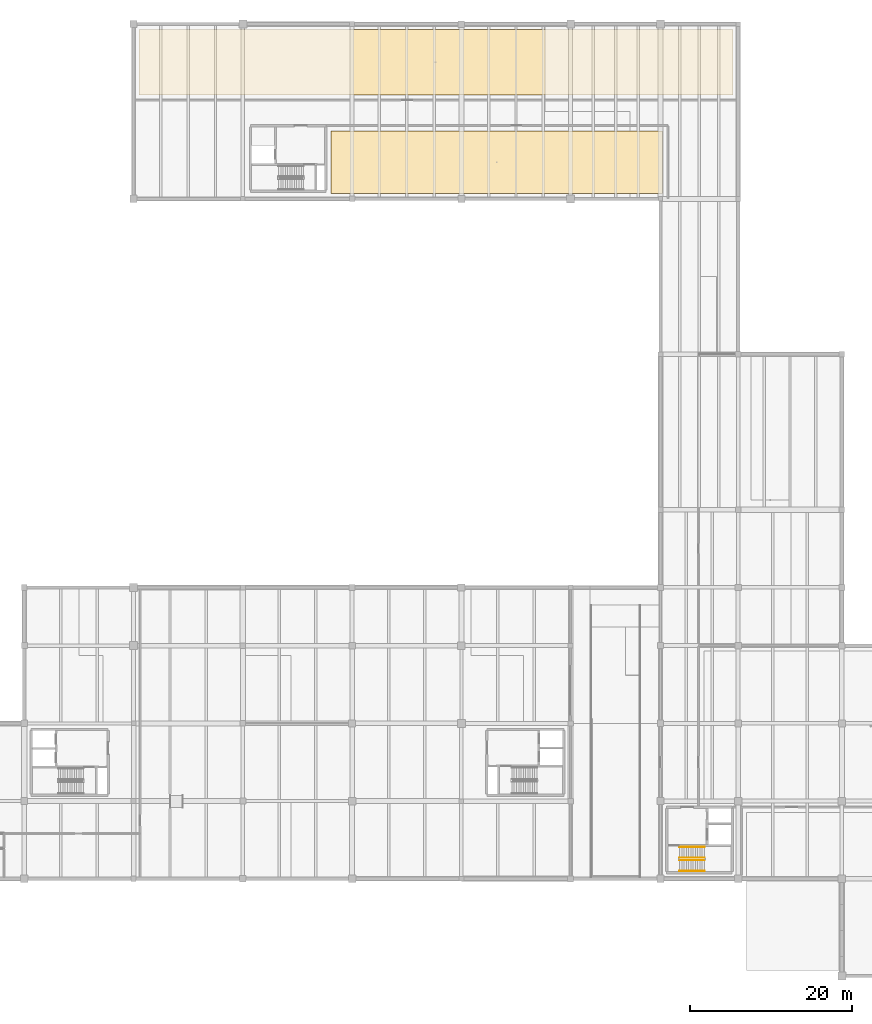
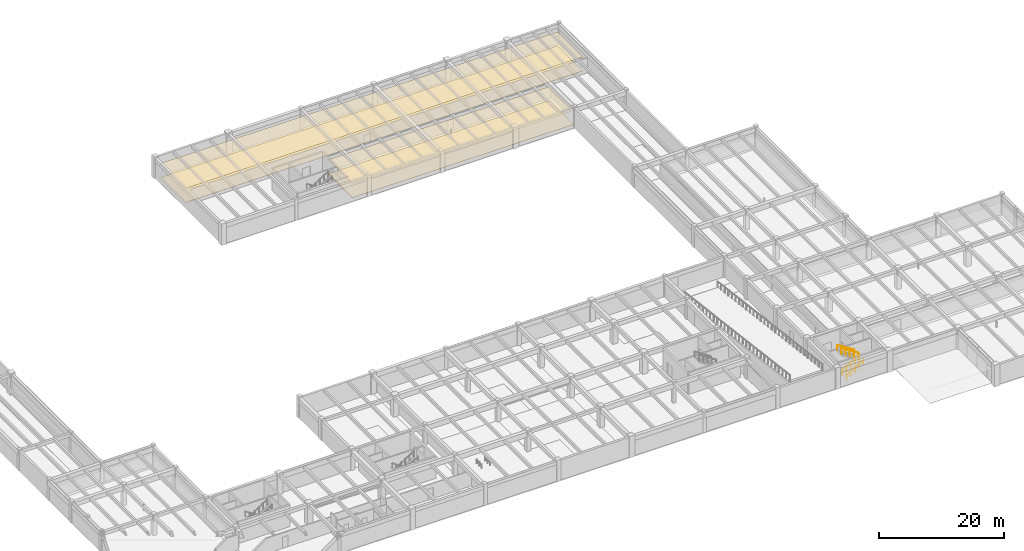
# One storey, part 26 of 28: 4 coverings, 4 railings.
"""IFC4 building model written with IfcOpenShell, lengths in metres."""

from ifc_helpers import new_model, si_unit, direction, frame, origin, origin_2d, place, context, subcontext, project, spatial, polyline, circle, outline, extrude, material, layer, layer_set, type_object, element, save


model = new_model("IFC4")

# Units and contexts
model_context = context("Model", 3, precision=1e-05, world=origin(), true_north=direction((0.0, 1.0)))
body_context = subcontext(model_context, "Body", "Model", "MODEL_VIEW")
ifc_project = project(units=[si_unit("LENGTHUNIT", "METRE"), si_unit("AREAUNIT", "SQUARE_METRE"), si_unit("VOLUMEUNIT", "CUBIC_METRE"), si_unit("PLANEANGLEUNIT", "RADIAN"), si_unit("MASSUNIT", "GRAM", prefix="KILO")], contexts=[model_context])

# Site, building, storey
site_placement = place(None, origin())
site = spatial("IfcSite", under=ifc_project, at=site_placement, CompositionType="ELEMENT")
building_placement = place(site_placement, origin())
building = spatial("IfcBuilding", under=site, at=building_placement, Name="Fikremerkos Civic Library", CompositionType="ELEMENT")
storey_placement = place(building_placement, frame((0.0, 0.0, -4.199951171875)))
storey = spatial("IfcBuildingStorey", under=building, at=storey_placement, Name="B01", CompositionType="ELEMENT", Elevation=-4.199951171875)

# Coverings
ifc_material_1 = material(Name="Perforated acoustic cedar timber", Category="wood")
ifc_layer_1 = layer(ifc_material_1, 0.02490234375, Name="Perforated acoustic cedar timber")
ifc_layer_set_1 = layer_set([ifc_layer_1], Name="Perforated acoustic cedar timber")
covering_type_1 = type_object("IfcCoveringType", Name="Acoustic perforated timber ceiling CLG-01", PredefinedType="CEILING", material=ifc_layer_set_1)
covering_1_placement = place(storey_placement, frame((0.0, 0.0, 2.75)))
element("IfcCovering", 1, at=covering_1_placement, inside=storey, type_object=covering_type_1, Name="Acoustic ceiling Children's Collection Closed Stacks", PredefinedType="CEILING", context=body_context, shape_type="SweptSolid", body=[
    extrude(outline(polyline([(60.35009765625, 108.85009765625), (60.35009765625, 116.949951171875), (133.75, 116.949951171875), (133.75, 108.85009765625), (60.35009765625, 108.85009765625)])), origin(), (0.0, 0.0, 1.0), 0.02490234375),
])
covering_2_placement = place(storey_placement, frame((0.0, 0.0, 2.75)))
element("IfcCovering", 2, at=covering_2_placement, inside=storey, type_object=covering_type_1, Name="Acoustic ceiling Exhibition Crate Storage Room", PredefinedType="CEILING", context=body_context, shape_type="SweptSolid", body=[
    extrude(outline(polyline([(84.10009765625, 96.64990234375), (84.10009765625, 104.39990234375), (125.050048828125, 104.39990234375), (125.050048828125, 96.64990234375), (84.10009765625, 96.64990234375)])), origin(), (0.0, 0.0, 1.0), 0.02490234375),
])

# Railings
ifc_material_2 = material(Name="Painted Steel S275", Category="steel")
railing_type_1 = type_object("IfcRailingType", Name="Interior balustrade guard RLG-INT 1100", PredefinedType="BALUSTRADE", material=ifc_material_2)
railing_1_placement = place(storey_placement, frame((127.14990234375, 14.300048828125, 0.175048828125)))
element("IfcRailing", 3, at=railing_1_placement, inside=storey, type_object=railing_type_1, Name="B01 ST-K4 stair guard 1", PredefinedType="BALUSTRADE", context=body_context, shape_type="SweptSolid", body=[
    extrude(circle(Radius=0.02392578125, at=origin_2d()), frame((0.0, 0.0, 1.076171875), z_axis=(0.848028513186, 0.0, 0.529950602248), x_axis=(0.0, 1.0, 0.0)), (0.0, 0.0, 1.0), 3.632080078125),
    extrude(circle(Radius=0.02099609375, at=origin_2d()), origin(), (0.0, 0.0, 1.0), 1.052001953125),
    extrude(circle(Radius=0.02099609375, at=origin_2d()), frame((0.77001953125, 0.0, 0.481201171875)), (0.0, 0.0, 1.0), 1.052001953125),
    extrude(circle(Radius=0.02099609375, at=origin_2d()), frame((1.5400390625, 0.0, 0.96240234375)), (0.0, 0.0, 1.0), 1.052001953125),
    extrude(circle(Radius=0.02099609375, at=origin_2d()), frame((2.31005859375, 0.0, 1.443603515625)), (0.0, 0.0, 1.0), 1.052001953125),
    extrude(circle(Radius=0.02099609375, at=origin_2d()), frame((3.080078125, 0.0, 1.9248046875)), (0.0, 0.0, 1.0), 1.052001953125),
])
railing_2_placement = place(storey_placement, frame((130.22998046875, 14.60009765625, 2.27490234375)))
element("IfcRailing", 4, at=railing_2_placement, inside=storey, type_object=railing_type_1, Name="B01 ST-K4 stair guard 3", PredefinedType="BALUSTRADE", context=body_context, shape_type="SweptSolid", body=[
    extrude(circle(Radius=0.02392578125, at=origin_2d()), frame((0.0, 0.0, 1.076171875), z_axis=(-0.847998304005, 0.0, 0.529998940003), x_axis=(0.0, -1.0, 0.0)), (0.0, 0.0, 1.0), 3.632080078125),
    extrude(circle(Radius=0.02099609375, at=origin_2d()), origin(), (0.0, 0.0, 1.0), 1.052001953125),
    extrude(circle(Radius=0.02099609375, at=origin_2d()), frame((-0.77001953125, 0.0, 0.481201171875)), (0.0, 0.0, 1.0), 1.052001953125),
    extrude(circle(Radius=0.02099609375, at=origin_2d()), frame((-1.5400390625, 0.0, 0.96240234375)), (0.0, 0.0, 1.0), 1.052001953125),
    extrude(circle(Radius=0.02099609375, at=origin_2d()), frame((-2.31005859375, 0.0, 1.44384765625)), (0.0, 0.0, 1.0), 1.052001953125),
    extrude(circle(Radius=0.02099609375, at=origin_2d()), frame((-3.080078125, 0.0, 1.925048828125)), (0.0, 0.0, 1.0), 1.052001953125),
])

# Coverings
ifc_material_3 = material(Name="Polished basalt terrazzo", Category="masonry")
ifc_layer_2 = layer(ifc_material_3, 0.030029296875, Name="Polished basalt terrazzo")
ifc_layer_set_2 = layer_set([ifc_layer_2], Name="Polished basalt terrazzo")
covering_type_2 = type_object("IfcCoveringType", Name="Polished basalt terrazzo flooring FLR-01", PredefinedType="FLOORING", material=ifc_layer_set_2)
covering_3_placement = place(storey_placement, origin())
element("IfcCovering", 5, at=covering_3_placement, inside=storey, type_object=covering_type_2, Name="Terrazzo floor finish Children's Collection Closed Stacks", PredefinedType="FLOORING", context=body_context, shape_type="SweptSolid", body=[
    extrude(outline(polyline([(60.35009765625, 108.85009765625), (60.35009765625, 116.949951171875), (133.75, 116.949951171875), (133.75, 108.85009765625), (60.35009765625, 108.85009765625)])), origin(), (0.0, 0.0, 1.0), 0.030029296875),
])
covering_4_placement = place(storey_placement, origin())
element("IfcCovering", 6, at=covering_4_placement, inside=storey, type_object=covering_type_2, Name="Terrazzo floor finish Exhibition Crate Storage Room", PredefinedType="FLOORING", context=body_context, shape_type="SweptSolid", body=[
    extrude(outline(polyline([(84.10009765625, 96.64990234375), (84.10009765625, 104.39990234375), (125.050048828125, 104.39990234375), (125.050048828125, 96.64990234375), (84.10009765625, 96.64990234375)])), origin(), (0.0, 0.0, 1.0), 0.030029296875),
])

# Railings
ifc_material_4 = material(Name="Brushed stainless steel", Category="steel")
railing_type_2 = type_object("IfcRailingType", Name="Wall and flight handrail HRL-01 900", PredefinedType="HANDRAIL", material=ifc_material_4)
railing_3_placement = place(storey_placement, frame((127.14990234375, 12.949951171875, 0.175048828125)))
element("IfcRailing", 7, at=railing_3_placement, inside=storey, type_object=railing_type_2, Name="B01 ST-K4 stair handrail 1", PredefinedType="HANDRAIL", context=body_context, shape_type="SweptSolid", body=[
    extrude(circle(Radius=0.02392578125, at=origin_2d()), frame((0.0, 0.0, 0.8759765625), z_axis=(0.848028513186, 0.0, 0.529950602248), x_axis=(0.0, 1.0, 0.0)), (0.0, 0.0, 1.0), 3.632080078125),
    extrude(circle(Radius=0.02099609375, at=origin_2d()), origin(), (0.0, 0.0, 1.0), 0.851806640625),
    extrude(circle(Radius=0.02099609375, at=origin_2d()), frame((0.77001953125, 0.0, 0.481201171875)), (0.0, 0.0, 1.0), 0.851806640625),
    extrude(circle(Radius=0.02099609375, at=origin_2d()), frame((1.5400390625, 0.0, 0.96240234375)), (0.0, 0.0, 1.0), 0.851806640625),
    extrude(circle(Radius=0.02099609375, at=origin_2d()), frame((2.31005859375, 0.0, 1.443603515625)), (0.0, 0.0, 1.0), 0.851806640625),
    extrude(circle(Radius=0.02099609375, at=origin_2d()), frame((3.080078125, 0.0, 1.9248046875)), (0.0, 0.0, 1.0), 0.851806640625),
])
railing_4_placement = place(storey_placement, frame((130.22998046875, 15.949951171875, 2.27490234375)))
element("IfcRailing", 8, at=railing_4_placement, inside=storey, type_object=railing_type_2, Name="B01 ST-K4 stair handrail 2", PredefinedType="HANDRAIL", context=body_context, shape_type="SweptSolid", body=[
    extrude(circle(Radius=0.02392578125, at=origin_2d()), frame((0.0, 0.0, 0.8759765625), z_axis=(-0.847998304005, 0.0, 0.529998940003), x_axis=(0.0, -1.0, 0.0)), (0.0, 0.0, 1.0), 3.632080078125),
    extrude(circle(Radius=0.02099609375, at=origin_2d()), origin(), (0.0, 0.0, 1.0), 0.851806640625),
    extrude(circle(Radius=0.02099609375, at=origin_2d()), frame((-0.77001953125, 0.0, 0.481201171875)), (0.0, 0.0, 1.0), 0.851806640625),
    extrude(circle(Radius=0.02099609375, at=origin_2d()), frame((-1.5400390625, 0.0, 0.96240234375)), (0.0, 0.0, 1.0), 0.851806640625),
    extrude(circle(Radius=0.02099609375, at=origin_2d()), frame((-2.31005859375, 0.0, 1.44384765625)), (0.0, 0.0, 1.0), 0.851806640625),
    extrude(circle(Radius=0.02099609375, at=origin_2d()), frame((-3.080078125, 0.0, 1.925048828125)), (0.0, 0.0, 1.0), 0.851806640625),
])

save(model, "model.ifc")
